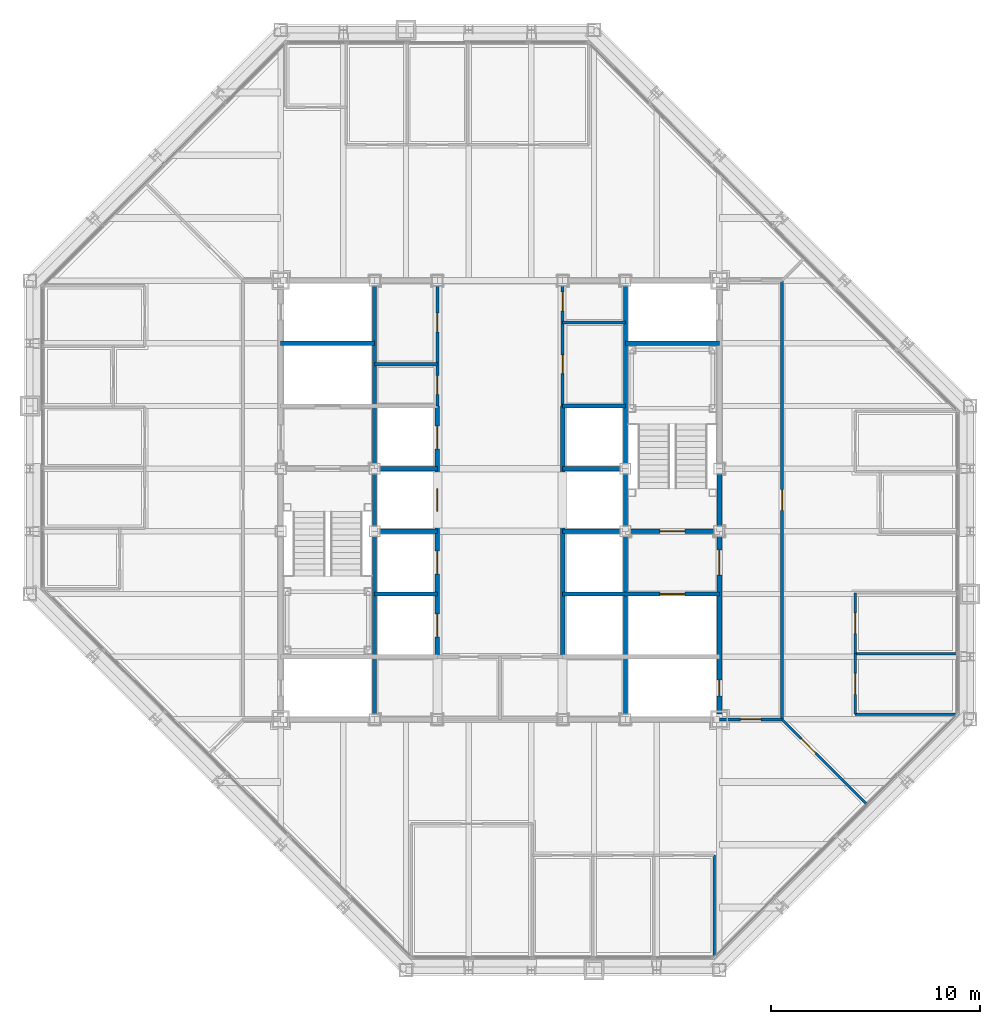
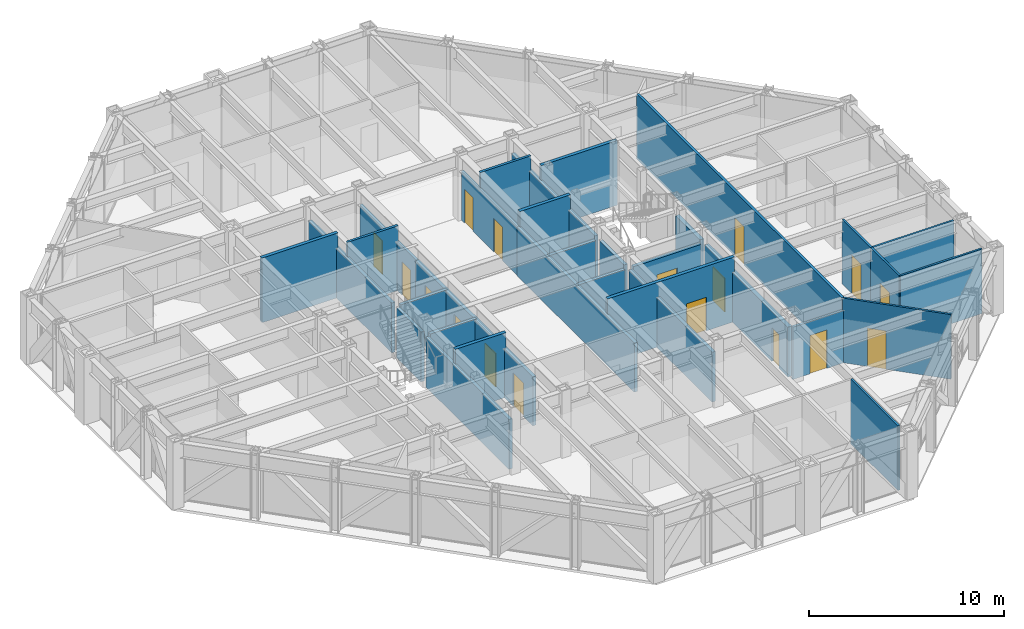
# One storey, part 12 of 16: 32 walls, 17 doors, 17 openings.
"""IFC4 building model written with IfcOpenShell, lengths in metres."""

import ifcopenshell
import ifcopenshell.guid

model = None  # the IFC model being written
_history = None  # IfcOwnerHistory: only IFC2X3 demands one
_inside = {}  # id of a spatial element -> (the spatial element, [elements in it])
_under = {}  # id of a project, library or spatial element -> (it, [spatial elements below it])
_declared = {}  # id of a project -> (the project, [libraries it declares])
_typed = {}  # id of a type object -> (the type object, [elements of that type])
_made_of = {}  # id of a material, layer set ... -> (it, [elements and type objects made of it])


def new_model(schema):
    """Start an empty IFC model of exactly this schema.

    Asked for "IFC4X3", IfcOpenShell would pick the latest addendum, in which some entities
    have other attributes; the version numbers below select the first issue.
    IFC2X3 requires an IfcOwnerHistory on every rooted entity: one is made here for all.
    """
    global model, _history
    if schema == "IFC4X3":
        model = ifcopenshell.file(schema_version=(4, 3, 0, 0))
    else:
        model = ifcopenshell.file(schema=schema)
    _inside.clear()
    _under.clear()
    _declared.clear()
    _typed.clear()
    _made_of.clear()
    _history = None
    if model.schema == "IFC2X3":
        org = make("IfcOrganization", Name="unknown")
        user = make(
            "IfcPersonAndOrganization",
            ThePerson=make("IfcPerson", FamilyName="unknown"),
            TheOrganization=org,
        )
        app = make(
            "IfcApplication",
            ApplicationDeveloper=org,
            Version="unknown",
            ApplicationFullName="unknown",
            ApplicationIdentifier="unknown",
        )
        _history = make(
            "IfcOwnerHistory",
            OwningUser=user,
            OwningApplication=app,
            ChangeAction="ADDED",
            CreationDate=0,
        )
    return model


def make(cls, **values):
    """One entity of the class cls with the attributes given. An attribute that is None is left unset."""
    return model.create_entity(
        cls, **{name: value for name, value in values.items() if value is not None}
    )


def rooted(cls, **values):
    """An entity with a GlobalId (a new one), such as an element, a storey or a relation."""
    return make(cls, GlobalId=ifcopenshell.guid.new(), OwnerHistory=_history, **values)


def si_unit(unit_type, name, prefix=None):
    """IfcSIUnit, for example si_unit("LENGTHUNIT", "METRE", prefix="MILLI")."""
    return make("IfcSIUnit", UnitType=unit_type, Prefix=prefix, Name=name)


def assignment(units):
    """IfcUnitAssignment: the units of a project."""
    return None if units is None else make("IfcUnitAssignment", Units=units)


def point(xyz):
    """IfcCartesianPoint."""
    return None if xyz is None else make("IfcCartesianPoint", Coordinates=xyz)


def direction(xyz):
    """IfcDirection."""
    return None if xyz is None else make("IfcDirection", DirectionRatios=xyz)


def frame(location, z_axis=None, x_axis=None):
    """IfcAxis2Placement3D, a coordinate frame: its origin and axes. An axis left out is left unset."""
    return make(
        "IfcAxis2Placement3D",
        Location=point(location),
        Axis=direction(z_axis),
        RefDirection=direction(x_axis),
    )


def frame_2d(location, x_axis=None):
    """IfcAxis2Placement2D, a coordinate frame in the plane: its origin and x axis."""
    return make(
        "IfcAxis2Placement2D", Location=point(location), RefDirection=direction(x_axis)
    )


def origin():
    """The frame at (0, 0, 0) with its axes left unset."""
    return frame((0.0, 0.0, 0.0))


def place(relative_to, where):
    """IfcLocalPlacement: puts the frame where relative to a parent placement (None: the world)."""
    return make(
        "IfcLocalPlacement", PlacementRelTo=relative_to, RelativePlacement=where
    )


def context(
    kind, dimensions, precision=None, world=None, true_north=None, identifier=None
):
    """IfcGeometricRepresentationContext, for example the 3D "Model" context."""
    return make(
        "IfcGeometricRepresentationContext",
        ContextIdentifier=identifier,
        ContextType=kind,
        CoordinateSpaceDimension=dimensions,
        Precision=precision,
        WorldCoordinateSystem=world,
        TrueNorth=true_north,
    )


def subcontext(parent, identifier, kind, view, scale=None):
    """IfcGeometricRepresentationSubContext, for example "Body" below "Model"."""
    return make(
        "IfcGeometricRepresentationSubContext",
        ContextIdentifier=identifier,
        ContextType=kind,
        ParentContext=parent,
        TargetScale=scale,
        TargetView=view,
    )


def project(units=None, contexts=None):
    """IfcProject with its units and contexts."""
    return rooted(
        "IfcProject",
        Name="project",
        RepresentationContexts=contexts,
        UnitsInContext=assignment(units),
    )


def spatial(cls, under=None, at=None, **own):
    """A site, building, storey or space (cls), placed at a placement, below another one or the project."""
    s = rooted(cls, ObjectPlacement=at, **own)
    if under is not None:
        _under.setdefault(under.id(), (under, []))[1].append(s)
    return s


def profile(cls, at=None, kind="AREA", **sizes):
    """A parametric profile (cls). Its sizes go by their IFC names, for example OverallWidth=200.0."""
    return make(cls, ProfileType=kind, Position=at, **sizes)


def rectangle(**sizes):
    """IfcRectangleProfileDef."""
    return profile("IfcRectangleProfileDef", **sizes)


def extrude(swept, where, along, depth):
    """IfcExtrudedAreaSolid: the profile swept, set in the frame where, extruded along a direction by depth."""
    return make(
        "IfcExtrudedAreaSolid",
        SweptArea=swept,
        Position=where,
        ExtrudedDirection=direction(along),
        Depth=depth,
    )


def shape(context_of_items, identifier, shape_type, items):
    """IfcShapeRepresentation: the items that make up one representation, for example the "Body"."""
    return make(
        "IfcShapeRepresentation",
        ContextOfItems=context_of_items,
        RepresentationIdentifier=identifier,
        RepresentationType=shape_type,
        Items=items,
    )


def material(Name=None, Category=None):
    """IfcMaterial."""
    return make("IfcMaterial", Name=Name, Category=Category)


def layer(
    of_material, thickness, ventilated=None, Name=None, Category=None, Priority=None
):
    """IfcMaterialLayer: one layer of a wall or slab, of a material (None: an air gap)."""
    return make(
        "IfcMaterialLayer",
        Material=of_material,
        LayerThickness=thickness,
        IsVentilated=ventilated,
        Name=Name,
        Category=Category,
        Priority=Priority,
    )


def layer_set(layers, Name=None):
    """IfcMaterialLayerSet."""
    return make("IfcMaterialLayerSet", MaterialLayers=layers, LayerSetName=Name)


def made_of(thing, what):
    """Note that an element or type object is made of a material, layer set ...; save() writes the relation."""
    if what is not None:
        _made_of.setdefault(what.id(), (what, []))[1].append(thing)
    return thing


def type_object(cls, material=None, **own):
    """A type object (cls), such as IfcWallType, which elements share."""
    return made_of(rooted(cls, **own), material)


def element(
    cls,
    number,
    at=None,
    inside=None,
    cuts=None,
    type_object=None,
    material=None,
    context=None,
    identifier="Body",
    shape_type=None,
    held_by="IfcProductDefinitionShape",
    body=None,
    shapes=None,
    **own,
):
    """One element of the class cls, such as IfcWall. Its Tag is "e" and its number.

    at: its placement. inside: the storey or other place that contains it. cuts: it is an
    opening in that element (IfcRelVoidsElement). A single representation is given by context,
    identifier, shape_type and body (its items); several are given by shapes. held_by: the class
    of the entity that holds the representations. save() writes the other relations.
    """
    e = rooted(cls, Tag="e%d" % number, ObjectPlacement=at, **own)
    if body is not None:
        shapes = [shape(context, identifier, shape_type, body)]
    if shapes is not None:
        e.Representation = make(held_by, Representations=shapes)
    if inside is not None:
        _inside.setdefault(inside.id(), (inside, []))[1].append(e)
    if cuts is not None:
        rooted(
            "IfcRelVoidsElement", RelatingBuildingElement=cuts, RelatedOpeningElement=e
        )
    if type_object is not None:
        _typed.setdefault(type_object.id(), (type_object, []))[1].append(e)
    return made_of(e, material)


def fill(opening, filler):
    """IfcRelFillsElement: the door or window that sits in an opening."""
    return rooted(
        "IfcRelFillsElement",
        RelatingOpeningElement=opening,
        RelatedBuildingElement=filler,
    )


def aggregate(whole, parts):
    """IfcRelAggregates: a whole, such as a stair, and the parts it consists of."""
    return rooted("IfcRelAggregates", RelatingObject=whole, RelatedObjects=parts)


def save(model, path):
    """Write the relations noted so far, then the file.

    IfcRelAggregates (storeys below a building ...), IfcRelContainedInSpatialStructure (elements
    in a storey), IfcRelDefinesByType, IfcRelAssociatesMaterial and IfcRelDeclares: one each for
    every whole, place, type object, material and project.
    """
    for whole, parts in _under.values():
        aggregate(whole, parts)
    for where, things in _inside.values():
        rooted(
            "IfcRelContainedInSpatialStructure",
            RelatedElements=things,
            RelatingStructure=where,
        )
    for kind, things in _typed.values():
        rooted("IfcRelDefinesByType", RelatedObjects=things, RelatingType=kind)
    for what, things in _made_of.values():
        rooted("IfcRelAssociatesMaterial", RelatedObjects=things, RelatingMaterial=what)
    for by, libraries in _declared.values():
        rooted("IfcRelDeclares", RelatingContext=by, RelatedDefinitions=libraries)
    model.write(path)


model = new_model("IFC4")

# Units and contexts
model_context = context("Model", 3, precision=1e-05, world=origin(), true_north=direction((0.0, 1.0)))
body_context = subcontext(model_context, "Body", "Model", "MODEL_VIEW")
ifc_project = project(units=[si_unit("LENGTHUNIT", "METRE"), si_unit("AREAUNIT", "SQUARE_METRE"), si_unit("VOLUMEUNIT", "CUBIC_METRE"), si_unit("PLANEANGLEUNIT", "RADIAN"), si_unit("MASSUNIT", "GRAM", prefix="KILO")], contexts=[model_context])

# Site, building, storey
site_placement = place(None, origin())
site = spatial("IfcSite", under=ifc_project, at=site_placement, CompositionType="ELEMENT")
building_placement = place(site_placement, origin())
building = spatial("IfcBuilding", under=site, at=building_placement, Name="Chuquiago Exchange Tower", CompositionType="ELEMENT")
storey_placement = place(building_placement, frame((0.0, 0.0, 226.5)))
storey = spatial("IfcBuildingStorey", under=building, at=storey_placement, Name="L50", CompositionType="ELEMENT", Elevation=226.5)

# Wall, openings, doors
ifc_material_1 = material(Name="Concrete masonry, fully grouted", Category="masonry")
ifc_layer_1 = layer(ifc_material_1, 0.25)
ifc_layer_set_1 = layer_set([ifc_layer_1], Name="W1 core wall 250")
wall_type_1 = type_object("IfcWallType", Name="W1 core wall 250", PredefinedType="SOLIDWALL", material=ifc_layer_set_1)
wall_1_placement = place(storey_placement, frame((33.0, 12.25, 0.0), z_axis=(0.0, 0.0, 1.0), x_axis=(0.0, 1.0, 0.0)))
wall_1 = element("IfcWall", 1, at=wall_1_placement, inside=storey, type_object=wall_type_1, Name="CW-L50-25-0", PredefinedType="SOLIDWALL", context=body_context, shape_type="SweptSolid", body=[
    extrude(rectangle(XDim=8.5, YDim=0.25, at=frame_2d((4.25, 0.0))), origin(), (0.0, 0.0, 1.0), 3.11279296875),
])
opening_1_placement = place(wall_1_placement, frame((6.64990234375, 0.0, 0.0)))
opening_1 = element("IfcOpeningElement", 2, at=opening_1_placement, cuts=wall_1, Name="Opening L50-004", PredefinedType="OPENING", context=body_context, shape_type="SweptSolid", body=[
    extrude(rectangle(XDim=1.199951171875, YDim=2.10009765625, at=frame_2d((0.60009765625, 1.050048828125))), frame((0.0, 0.135009765625, 0.0), z_axis=(0.0, -1.0, 0.0), x_axis=(1.0, 0.0, 0.0)), (0.0, 0.0, 1.0), 0.27001953125),
])
opening_2_placement = place(wall_1_placement, frame((0.875, 0.0, 0.0)))
opening_2 = element("IfcOpeningElement", 3, at=opening_2_placement, cuts=wall_1, Name="Opening L50-009", PredefinedType="OPENING", context=body_context, shape_type="SweptSolid", body=[
    extrude(rectangle(XDim=0.75, YDim=2.10009765625, at=frame_2d((0.375, 1.050048828125))), frame((0.0, 0.135009765625, 0.0), z_axis=(0.0, -1.0, 0.0), x_axis=(1.0, 0.0, 0.0)), (0.0, 0.0, 1.0), 0.27001953125),
])
ifc_material_2 = material(Name="Steel door, painted", Category="steel")
door_type_1 = type_object("IfcDoorType", Name="D5 firefighting lobby door 1200x2100", OperationType="SINGLE_SWING_LEFT", PredefinedType="DOOR", material=ifc_material_2)
door_1_placement = place(opening_1_placement, origin())
door_1 = element("IfcDoor", 4, at=door_1_placement, inside=storey, type_object=door_type_1, Name="Firefighting lobby 2 door", OperationType="SINGLE_SWING_RIGHT", OverallHeight=2.10009765625, OverallWidth=1.199951171875, PredefinedType="DOOR", context=body_context, shape_type="SweptSolid", body=[
    extrude(rectangle(XDim=1.199951171875, YDim=2.10009765625, at=frame_2d((0.60009765625, 1.050048828125))), frame((0.0, 0.02490234375, 0.0), z_axis=(0.0, -1.0, 0.0), x_axis=(1.0, 0.0, 0.0)), (0.0, 0.0, 1.0), 0.050048828125),
])
fill(opening_1, door_1)
ifc_material_3 = material(Name="Steel door, painted", Category="steel")
door_type_2 = type_object("IfcDoorType", Name="D6 riser access door 750x2100", OperationType="SINGLE_SWING_LEFT", PredefinedType="DOOR", material=ifc_material_3)
door_2_placement = place(opening_2_placement, frame((0.75, 0.0, 0.0), z_axis=(0.0, 0.0, 1.0), x_axis=(-1.0, 0.0, 0.0)))
door_2 = element("IfcDoor", 5, at=door_2_placement, inside=storey, type_object=door_type_2, Name="Riser RE1 door", OperationType="SINGLE_SWING_RIGHT", OverallHeight=2.10009765625, OverallWidth=0.75, PredefinedType="DOOR", context=body_context, shape_type="SweptSolid", body=[
    extrude(rectangle(XDim=0.75, YDim=2.10009765625, at=frame_2d((0.375, 1.050048828125))), frame((0.0, 0.02490234375, 0.0), z_axis=(0.0, -1.0, 0.0), x_axis=(1.0, 0.0, 0.0)), (0.0, 0.0, 1.0), 0.050048828125),
])
fill(opening_2, door_2)

# Wall
wall_2_placement = place(storey_placement, frame((33.0, 21.25, 0.0), z_axis=(0.0, 0.0, 1.0), x_axis=(0.0, 1.0, 0.0)))
element("IfcWall", 6, at=wall_2_placement, inside=storey, type_object=wall_type_1, Name="CW-L50-25-1", PredefinedType="SOLIDWALL", context=body_context, shape_type="SweptSolid", body=[
    extrude(rectangle(XDim=2.5, YDim=0.25, at=frame_2d((1.25, 0.0))), origin(), (0.0, 0.0, 1.0), 3.11279296875),
])

# Wall, opening, door
ifc_material_4 = material(Name="Gypsum board on steel studs, acoustic insulation", Category="steel")
ifc_layer_2 = layer(ifc_material_4, 0.14990234375)
ifc_layer_set_2 = layer_set([ifc_layer_2], Name="W11 corridor wall 150")
wall_type_2 = type_object("IfcWallType", Name="W11 corridor wall 150", PredefinedType="PARTITIONING", material=ifc_layer_set_2)
wall_3_placement = place(storey_placement, frame((36.0, 12.0, 0.0), z_axis=(0.0, 0.0, 1.0), x_axis=(0.0, 1.0, 0.0)))
wall_3 = element("IfcWall", 7, at=wall_3_placement, inside=storey, type_object=wall_type_2, Name="PW-L50-GE0", PredefinedType="PARTITIONING", context=body_context, shape_type="SweptSolid", body=[
    extrude(rectangle(XDim=21.0, YDim=0.14990234375, at=frame_2d((10.5, 0.0))), origin(), (0.0, 0.0, 1.0), 4.0400390625),
])
opening_3_placement = place(wall_3_placement, frame((10.0, 0.0, 0.0)))
opening_3 = element("IfcOpeningElement", 8, at=opening_3_placement, cuts=wall_3, Name="Opening L50-039", PredefinedType="OPENING", context=body_context, shape_type="SweptSolid", body=[
    extrude(rectangle(XDim=1.0, YDim=2.39990234375, at=frame_2d((0.5, 1.199951171875))), frame((0.0, 0.0849609375, 0.0), z_axis=(0.0, -1.0, 0.0), x_axis=(1.0, 0.0, 0.0)), (0.0, 0.0, 1.0), 0.169921875),
])
ifc_material_5 = material(Name="Timber door, laminate faced", Category="wood")
door_type_3 = type_object("IfcDoorType", Name="D9 room door 1000x2400", OperationType="SINGLE_SWING_LEFT", PredefinedType="DOOR", material=ifc_material_5)
door_3_placement = place(opening_3_placement, frame((1.0, 0.0, 0.0), z_axis=(0.0, 0.0, 1.0), x_axis=(-1.0, 0.0, 0.0)))
door_3 = element("IfcDoor", 9, at=door_3_placement, inside=storey, type_object=door_type_3, Name="Team area door", OperationType="SINGLE_SWING_RIGHT", OverallHeight=2.39990234375, OverallWidth=1.0, PredefinedType="DOOR", context=body_context, shape_type="SweptSolid", body=[
    extrude(rectangle(XDim=1.0, YDim=2.39990234375, at=frame_2d((0.5, 1.199951171875))), frame((0.0, 0.02490234375, 0.0), z_axis=(0.0, -1.0, 0.0), x_axis=(1.0, 0.0, 0.0)), (0.0, 0.0, 1.0), 0.050048828125),
])
fill(opening_3, door_3)

wall_4_placement = place(storey_placement, frame((33.0, 12.0, 0.0), z_axis=(0.0, 0.0, 1.0), x_axis=(1.0, 0.0, 0.0)))
wall_4 = element("IfcWall", 10, at=wall_4_placement, inside=storey, type_object=wall_type_2, Name="PW-L50-GES0", PredefinedType="PARTITIONING", context=body_context, shape_type="SweptSolid", body=[
    extrude(rectangle(XDim=3.0, YDim=0.14990234375, at=frame_2d((1.5, 0.0))), origin(), (0.0, 0.0, 1.0), 3.2705078125),
])
opening_4_placement = place(wall_4_placement, frame((1.0, 0.0, 0.0)))
opening_4 = element("IfcOpeningElement", 11, at=opening_4_placement, cuts=wall_4, Name="Opening L50-041", PredefinedType="OPENING", context=body_context, shape_type="SweptSolid", body=[
    extrude(rectangle(XDim=1.0, YDim=2.39990234375, at=frame_2d((0.5, 1.199951171875))), frame((0.0, 0.0849609375, 0.0), z_axis=(0.0, -1.0, 0.0), x_axis=(1.0, 0.0, 0.0)), (0.0, 0.0, 1.0), 0.169921875),
])
door_4_placement = place(opening_4_placement, frame((1.0, 0.0, 0.0), z_axis=(0.0, 0.0, 1.0), x_axis=(-1.0, 0.0, 0.0)))
door_4 = element("IfcDoor", 12, at=door_4_placement, inside=storey, type_object=door_type_3, Name="Team area door", OperationType="SINGLE_SWING_RIGHT", OverallHeight=2.39990234375, OverallWidth=1.0, PredefinedType="DOOR", context=body_context, shape_type="SweptSolid", body=[
    extrude(rectangle(XDim=1.0, YDim=2.39990234375, at=frame_2d((0.5, 1.199951171875))), frame((0.0, 0.02490234375, 0.0), z_axis=(0.0, -1.0, 0.0), x_axis=(1.0, 0.0, 0.0)), (0.0, 0.0, 1.0), 0.050048828125),
])
fill(opening_4, door_4)

# Walls
ifc_material_6 = material(Name="Concrete masonry, fully grouted", Category="masonry")
ifc_layer_3 = layer(ifc_material_6, 0.199951171875)
ifc_layer_set_3 = layer_set([ifc_layer_3], Name="W2 shaft wall 200")
wall_type_3 = type_object("IfcWallType", Name="W2 shaft wall 200", PredefinedType="SOLIDWALL", material=ifc_layer_set_3)
for number, where, z_axis, x_axis, name in (
    (13, (16.75, 24.0, 0.0), (0.0, 0.0, 1.0), (1.0, 0.0, 0.0), "CW-L50-05-1"),
    (14, (25.5, 24.0, 0.0), (0.0, 0.0, 1.0), (1.0, 0.0, 0.0), "CW-L50-06-0"),
):
    element("IfcWall", number, at=place(storey_placement, frame(where, z_axis=z_axis, x_axis=x_axis)), inside=storey, type_object=wall_type_3, Name=name, PredefinedType="SOLIDWALL", context=body_context, shape_type="SweptSolid", body=[
        extrude(rectangle(XDim=2.75, YDim=0.199951171875, at=frame_2d((1.375, 0.0))), origin(), (0.0, 0.0, 1.0), 3.090087890625),
    ])
wall_5_placement = place(storey_placement, frame((25.5, 27.0, 0.0), z_axis=(0.0, 0.0, 1.0), x_axis=(1.0, 0.0, 0.0)))
element("IfcWall", 15, at=wall_5_placement, inside=storey, type_object=wall_type_3, Name="CW-L50-08-0", PredefinedType="SOLIDWALL", context=body_context, shape_type="SweptSolid", body=[
    extrude(rectangle(XDim=3.0, YDim=0.199951171875, at=frame_2d((1.5, 0.0))), origin(), (0.0, 0.0, 1.0), 4.0400390625),
])
for number, where, z_axis, x_axis, name in (
    (16, (12.0, 30.0, 0.0), (0.0, 0.0, 1.0), (1.0, 0.0, 0.0), "CW-L50-09-0"),
    (17, (28.5, 30.0, 0.0), (0.0, 0.0, 1.0), (1.0, 0.0, 0.0), "CW-L50-10-0"),
):
    element("IfcWall", number, at=place(storey_placement, frame(where, z_axis=z_axis, x_axis=x_axis)), inside=storey, type_object=wall_type_3, Name=name, PredefinedType="SOLIDWALL", context=body_context, shape_type="SweptSolid", body=[
        extrude(rectangle(XDim=4.5, YDim=0.199951171875, at=frame_2d((2.25, 0.0))), origin(), (0.0, 0.0, 1.0), 4.0400390625),
    ])
wall_6_placement = place(storey_placement, frame((16.5, 12.25, 0.0), z_axis=(0.0, 0.0, 1.0), x_axis=(0.0, 1.0, 0.0)))
element("IfcWall", 18, at=wall_6_placement, inside=storey, type_object=wall_type_3, Name="CW-L50-13-0", PredefinedType="SOLIDWALL", context=body_context, shape_type="SweptSolid", body=[
    extrude(rectangle(XDim=8.5, YDim=0.199951171875, at=frame_2d((4.25, 0.0))), origin(), (0.0, 0.0, 1.0), 3.11279296875),
])
wall_7_placement = place(storey_placement, frame((16.5, 21.25, 0.0), z_axis=(0.0, 0.0, 1.0), x_axis=(0.0, 1.0, 0.0)))
element("IfcWall", 19, at=wall_7_placement, inside=storey, type_object=wall_type_3, Name="CW-L50-13-1", PredefinedType="SOLIDWALL", context=body_context, shape_type="SweptSolid", body=[
    extrude(rectangle(XDim=2.5, YDim=0.199951171875, at=frame_2d((1.25, 0.0))), origin(), (0.0, 0.0, 1.0), 3.11279296875),
])
wall_8_placement = place(storey_placement, frame((16.5, 24.25, 0.0), z_axis=(0.0, 0.0, 1.0), x_axis=(0.0, 1.0, 0.0)))
element("IfcWall", 20, at=wall_8_placement, inside=storey, type_object=wall_type_3, Name="CW-L50-13-2", PredefinedType="SOLIDWALL", context=body_context, shape_type="SweptSolid", body=[
    extrude(rectangle(XDim=8.5, YDim=0.199951171875, at=frame_2d((4.25, 0.0))), origin(), (0.0, 0.0, 1.0), 3.11279296875),
])
wall_9_placement = place(storey_placement, frame((16.5, 18.0, 0.0), z_axis=(0.0, 0.0, 1.0), x_axis=(1.0, 0.0, 0.0)))
element("IfcWall", 21, at=wall_9_placement, inside=storey, type_object=wall_type_3, Name="CW-L50-14-0", PredefinedType="SOLIDWALL", context=body_context, shape_type="SweptSolid", body=[
    extrude(rectangle(XDim=3.0, YDim=0.199951171875, at=frame_2d((1.5, 0.0))), origin(), (0.0, 0.0, 1.0), 4.0400390625),
])

# Wall, opening, door
wall_10_placement = place(storey_placement, frame((25.5, 18.0, 0.0), z_axis=(0.0, 0.0, 1.0), x_axis=(1.0, 0.0, 0.0)))
wall_10 = element("IfcWall", 22, at=wall_10_placement, inside=storey, type_object=wall_type_3, Name="CW-L50-15-0", PredefinedType="SOLIDWALL", context=body_context, shape_type="SweptSolid", body=[
    extrude(rectangle(XDim=7.5, YDim=0.199951171875, at=frame_2d((3.75, 0.0))), origin(), (0.0, 0.0, 1.0), 4.0400390625),
])
opening_5_placement = place(wall_10_placement, frame((4.64990234375, 0.0, 0.0)))
opening_5 = element("IfcOpeningElement", 23, at=opening_5_placement, cuts=wall_10, Name="Opening L50-006", PredefinedType="OPENING", context=body_context, shape_type="SweptSolid", body=[
    extrude(rectangle(XDim=1.199951171875, YDim=2.10009765625, at=frame_2d((0.60009765625, 1.050048828125))), frame((0.0, 0.10986328125, 0.0), z_axis=(0.0, -1.0, 0.0), x_axis=(1.0, 0.0, 0.0)), (0.0, 0.0, 1.0), 0.219970703125),
])
ifc_material_7 = material(Name="Stainless steel lift landing door", Category="steel")
door_type_4 = type_object("IfcDoorType", Name="LD2 firefighting lift landing door 1200x2100", OperationType="DOUBLE_DOOR_SLIDING", PredefinedType="DOOR", material=ifc_material_7)
door_5_placement = place(opening_5_placement, origin())
door_5 = element("IfcDoor", 24, at=door_5_placement, inside=storey, type_object=door_type_4, Name="Firefighting lift FL2 landing door", OperationType="DOUBLE_DOOR_SLIDING", OverallHeight=2.10009765625, OverallWidth=1.199951171875, PredefinedType="DOOR", context=body_context, shape_type="SweptSolid", body=[
    extrude(rectangle(XDim=1.199951171875, YDim=2.10009765625, at=frame_2d((0.60009765625, 1.050048828125))), frame((0.0, 0.02490234375, 0.0), z_axis=(0.0, -1.0, 0.0), x_axis=(1.0, 0.0, 0.0)), (0.0, 0.0, 1.0), 0.050048828125),
])
fill(opening_5, door_5)

# Walls
for number, where, z_axis, x_axis, name in (
    (25, (16.75, 21.0, 0.0), (0.0, 0.0, 1.0), (1.0, 0.0, 0.0), "CW-L50-16-0"),
    (26, (25.5, 21.0, 0.0), (0.0, 0.0, 1.0), (1.0, 0.0, 0.0), "CW-L50-17-0"),
):
    element("IfcWall", number, at=place(storey_placement, frame(where, z_axis=z_axis, x_axis=x_axis)), inside=storey, type_object=wall_type_3, Name=name, PredefinedType="SOLIDWALL", context=body_context, shape_type="SweptSolid", body=[
        extrude(rectangle(XDim=2.75, YDim=0.199951171875, at=frame_2d((1.375, 0.0))), origin(), (0.0, 0.0, 1.0), 3.090087890625),
    ])

# Wall, opening, door
wall_11_placement = place(storey_placement, frame((28.75, 21.0, 0.0), z_axis=(0.0, 0.0, 1.0), x_axis=(1.0, 0.0, 0.0)))
wall_11 = element("IfcWall", 27, at=wall_11_placement, inside=storey, type_object=wall_type_3, Name="CW-L50-17-1", PredefinedType="SOLIDWALL", context=body_context, shape_type="SweptSolid", body=[
    extrude(rectangle(XDim=4.0, YDim=0.199951171875, at=frame_2d((2.0, 0.0))), origin(), (0.0, 0.0, 1.0), 3.090087890625),
])
opening_6_placement = place(wall_11_placement, frame((1.39990234375, 0.0, 0.0)))
opening_6 = element("IfcOpeningElement", 28, at=opening_6_placement, cuts=wall_11, Name="Opening L50-003", PredefinedType="OPENING", context=body_context, shape_type="SweptSolid", body=[
    extrude(rectangle(XDim=1.199951171875, YDim=2.10009765625, at=frame_2d((0.60009765625, 1.050048828125))), frame((0.0, 0.10986328125, 0.0), z_axis=(0.0, -1.0, 0.0), x_axis=(1.0, 0.0, 0.0)), (0.0, 0.0, 1.0), 0.219970703125),
])
ifc_material_8 = material(Name="Steel door, painted", Category="steel")
door_type_5 = type_object("IfcDoorType", Name="D4 stair door 1200x2100", OperationType="SINGLE_SWING_LEFT", PredefinedType="DOOR", material=ifc_material_8)
door_6_placement = place(opening_6_placement, origin())
door_6 = element("IfcDoor", 29, at=door_6_placement, inside=storey, type_object=door_type_5, Name="Stair ST2 door", OperationType="SINGLE_SWING_LEFT", OverallHeight=2.10009765625, OverallWidth=1.199951171875, PredefinedType="DOOR", context=body_context, shape_type="SweptSolid", body=[
    extrude(rectangle(XDim=1.199951171875, YDim=2.10009765625, at=frame_2d((0.60009765625, 1.050048828125))), frame((0.0, 0.02490234375, 0.0), z_axis=(0.0, -1.0, 0.0), x_axis=(1.0, 0.0, 0.0)), (0.0, 0.0, 1.0), 0.050048828125),
])
fill(opening_6, door_6)

# Wall, openings, doors
wall_12_placement = place(storey_placement, frame((19.5, 15.0, 0.0), z_axis=(0.0, 0.0, 1.0), x_axis=(0.0, 1.0, 0.0)))
wall_12 = element("IfcWall", 30, at=wall_12_placement, inside=storey, type_object=wall_type_3, Name="CW-L50-19-0", PredefinedType="SOLIDWALL", context=body_context, shape_type="SweptSolid", body=[
    extrude(rectangle(XDim=12.0, YDim=0.199951171875, at=frame_2d((6.0, 0.0))), origin(), (0.0, 0.0, 1.0), 3.064697265625),
])
opening_7_placement = place(wall_12_placement, frame((0.949951171875, 0.0, 0.0)))
opening_7 = element("IfcOpeningElement", 31, at=opening_7_placement, cuts=wall_12, Name="Opening L50-017", PredefinedType="OPENING", context=body_context, shape_type="SweptSolid", body=[
    extrude(rectangle(XDim=1.10009765625, YDim=2.10009765625, at=frame_2d((0.550048828125, 1.050048828125))), frame((0.0, 0.10986328125, 0.0), z_axis=(0.0, -1.0, 0.0), x_axis=(1.0, 0.0, 0.0)), (0.0, 0.0, 1.0), 0.219970703125),
])
opening_8_placement = place(wall_12_placement, frame((3.949951171875, 0.0, 0.0)))
opening_8 = element("IfcOpeningElement", 32, at=opening_8_placement, cuts=wall_12, Name="Opening L50-018", PredefinedType="OPENING", context=body_context, shape_type="SweptSolid", body=[
    extrude(rectangle(XDim=1.10009765625, YDim=2.10009765625, at=frame_2d((0.550048828125, 1.050048828125))), frame((0.0, 0.10986328125, 0.0), z_axis=(0.0, -1.0, 0.0), x_axis=(1.0, 0.0, 0.0)), (0.0, 0.0, 1.0), 0.219970703125),
])
opening_9_placement = place(wall_12_placement, frame((6.949951171875, 0.0, 0.0)))
opening_9 = element("IfcOpeningElement", 33, at=opening_9_placement, cuts=wall_12, Name="Opening L50-019", PredefinedType="OPENING", context=body_context, shape_type="SweptSolid", body=[
    extrude(rectangle(XDim=1.10009765625, YDim=2.10009765625, at=frame_2d((0.550048828125, 1.050048828125))), frame((0.0, 0.10986328125, 0.0), z_axis=(0.0, -1.0, 0.0), x_axis=(1.0, 0.0, 0.0)), (0.0, 0.0, 1.0), 0.219970703125),
])
opening_10_placement = place(wall_12_placement, frame((9.949951171875, 0.0, 0.0)))
opening_10 = element("IfcOpeningElement", 34, at=opening_10_placement, cuts=wall_12, Name="Opening L50-020", PredefinedType="OPENING", context=body_context, shape_type="SweptSolid", body=[
    extrude(rectangle(XDim=1.10009765625, YDim=2.10009765625, at=frame_2d((0.550048828125, 1.050048828125))), frame((0.0, 0.10986328125, 0.0), z_axis=(0.0, -1.0, 0.0), x_axis=(1.0, 0.0, 0.0)), (0.0, 0.0, 1.0), 0.219970703125),
])
ifc_material_9 = material(Name="Stainless steel lift landing door", Category="steel")
door_type_6 = type_object("IfcDoorType", Name="LD1 lift landing door 1100x2100", OperationType="DOUBLE_DOOR_SLIDING", PredefinedType="DOOR", material=ifc_material_9)
door_7_placement = place(opening_7_placement, origin())
door_7 = element("IfcDoor", 35, at=door_7_placement, inside=storey, type_object=door_type_6, Name="Lift LC1 landing door", OperationType="DOUBLE_DOOR_SLIDING", OverallHeight=2.10009765625, OverallWidth=1.10009765625, PredefinedType="DOOR", context=body_context, shape_type="SweptSolid", body=[
    extrude(rectangle(XDim=1.10009765625, YDim=2.10009765625, at=frame_2d((0.550048828125, 1.050048828125))), frame((0.0, 0.02490234375, 0.0), z_axis=(0.0, -1.0, 0.0), x_axis=(1.0, 0.0, 0.0)), (0.0, 0.0, 1.0), 0.050048828125),
])
fill(opening_7, door_7)
door_8_placement = place(opening_8_placement, origin())
door_8 = element("IfcDoor", 36, at=door_8_placement, inside=storey, type_object=door_type_6, Name="Lift LC2 landing door", OperationType="DOUBLE_DOOR_SLIDING", OverallHeight=2.10009765625, OverallWidth=1.10009765625, PredefinedType="DOOR", context=body_context, shape_type="SweptSolid", body=[
    extrude(rectangle(XDim=1.10009765625, YDim=2.10009765625, at=frame_2d((0.550048828125, 1.050048828125))), frame((0.0, 0.02490234375, 0.0), z_axis=(0.0, -1.0, 0.0), x_axis=(1.0, 0.0, 0.0)), (0.0, 0.0, 1.0), 0.050048828125),
])
fill(opening_8, door_8)
door_9_placement = place(opening_9_placement, origin())
door_9 = element("IfcDoor", 37, at=door_9_placement, inside=storey, type_object=door_type_6, Name="Lift LC3 landing door", OperationType="DOUBLE_DOOR_SLIDING", OverallHeight=2.10009765625, OverallWidth=1.10009765625, PredefinedType="DOOR", context=body_context, shape_type="SweptSolid", body=[
    extrude(rectangle(XDim=1.10009765625, YDim=2.10009765625, at=frame_2d((0.550048828125, 1.050048828125))), frame((0.0, 0.02490234375, 0.0), z_axis=(0.0, -1.0, 0.0), x_axis=(1.0, 0.0, 0.0)), (0.0, 0.0, 1.0), 0.050048828125),
])
fill(opening_9, door_9)
door_10_placement = place(opening_10_placement, origin())
door_10 = element("IfcDoor", 38, at=door_10_placement, inside=storey, type_object=door_type_6, Name="Lift LC4 landing door", OperationType="DOUBLE_DOOR_SLIDING", OverallHeight=2.10009765625, OverallWidth=1.10009765625, PredefinedType="DOOR", context=body_context, shape_type="SweptSolid", body=[
    extrude(rectangle(XDim=1.10009765625, YDim=2.10009765625, at=frame_2d((0.550048828125, 1.050048828125))), frame((0.0, 0.02490234375, 0.0), z_axis=(0.0, -1.0, 0.0), x_axis=(1.0, 0.0, 0.0)), (0.0, 0.0, 1.0), 0.050048828125),
])
fill(opening_10, door_10)

# Walls
wall_13_placement = place(storey_placement, frame((25.5, 15.0, 0.0), z_axis=(0.0, 0.0, 1.0), x_axis=(0.0, 1.0, 0.0)))
element("IfcWall", 39, at=wall_13_placement, inside=storey, type_object=wall_type_3, Name="CW-L50-22-0", PredefinedType="SOLIDWALL", context=body_context, shape_type="SweptSolid", body=[
    extrude(rectangle(XDim=12.0, YDim=0.199951171875, at=frame_2d((6.0, 0.0))), origin(), (0.0, 0.0, 1.0), 3.064697265625),
])
wall_14_placement = place(storey_placement, frame((28.5, 12.25, 0.0), z_axis=(0.0, 0.0, 1.0), x_axis=(0.0, 1.0, 0.0)))
element("IfcWall", 40, at=wall_14_placement, inside=storey, type_object=wall_type_3, Name="CW-L50-24-0", PredefinedType="SOLIDWALL", context=body_context, shape_type="SweptSolid", body=[
    extrude(rectangle(XDim=8.5, YDim=0.199951171875, at=frame_2d((4.25, 0.0))), origin(), (0.0, 0.0, 1.0), 3.11279296875),
])
wall_15_placement = place(storey_placement, frame((28.5, 21.25, 0.0), z_axis=(0.0, 0.0, 1.0), x_axis=(0.0, 1.0, 0.0)))
element("IfcWall", 41, at=wall_15_placement, inside=storey, type_object=wall_type_3, Name="CW-L50-24-1", PredefinedType="SOLIDWALL", context=body_context, shape_type="SweptSolid", body=[
    extrude(rectangle(XDim=2.5, YDim=0.199951171875, at=frame_2d((1.25, 0.0))), origin(), (0.0, 0.0, 1.0), 3.11279296875),
])
wall_16_placement = place(storey_placement, frame((28.5, 24.25, 0.0), z_axis=(0.0, 0.0, 1.0), x_axis=(0.0, 1.0, 0.0)))
element("IfcWall", 42, at=wall_16_placement, inside=storey, type_object=wall_type_3, Name="CW-L50-24-2", PredefinedType="SOLIDWALL", context=body_context, shape_type="SweptSolid", body=[
    extrude(rectangle(XDim=8.5, YDim=0.199951171875, at=frame_2d((4.25, 0.0))), origin(), (0.0, 0.0, 1.0), 3.11279296875),
])

# Wall, openings, doors
ifc_material_10 = material(Name="Gypsum board on steel studs", Category="steel")
ifc_layer_4 = layer(ifc_material_10, 0.14990234375)
ifc_layer_set_4 = layer_set([ifc_layer_4], Name="W3 core partition 150")
wall_type_4 = type_object("IfcWallType", Name="W3 core partition 150", PredefinedType="PARTITIONING", material=ifc_layer_set_4)
wall_17_placement = place(storey_placement, frame((19.5, 27.0, 0.0), z_axis=(0.0, 0.0, 1.0), x_axis=(0.0, 1.0, 0.0)))
wall_17 = element("IfcWall", 43, at=wall_17_placement, inside=storey, type_object=wall_type_4, Name="CW-L50-20-0", PredefinedType="PARTITIONING", context=body_context, shape_type="SweptSolid", body=[
    extrude(rectangle(XDim=5.75, YDim=0.14990234375, at=frame_2d((2.875, 0.0))), origin(), (0.0, 0.0, 1.0), 3.064697265625),
])
opening_11_placement = place(wall_17_placement, frame((0.550048828125, 0.0, 0.0)))
opening_11 = element("IfcOpeningElement", 44, at=opening_11_placement, cuts=wall_17, Name="Opening L50-011", PredefinedType="OPENING", context=body_context, shape_type="SweptSolid", body=[
    extrude(rectangle(XDim=0.89990234375, YDim=2.10009765625, at=frame_2d((0.449951171875, 1.050048828125))), frame((0.0, 0.0849609375, 0.0), z_axis=(0.0, -1.0, 0.0), x_axis=(1.0, 0.0, 0.0)), (0.0, 0.0, 1.0), 0.169921875),
])
opening_12_placement = place(wall_17_placement, frame((3.550048828125, 0.0, 0.0)))
opening_12 = element("IfcOpeningElement", 45, at=opening_12_placement, cuts=wall_17, Name="Opening L50-012", PredefinedType="OPENING", context=body_context, shape_type="SweptSolid", body=[
    extrude(rectangle(XDim=0.89990234375, YDim=2.10009765625, at=frame_2d((0.449951171875, 1.050048828125))), frame((0.0, 0.0849609375, 0.0), z_axis=(0.0, -1.0, 0.0), x_axis=(1.0, 0.0, 0.0)), (0.0, 0.0, 1.0), 0.169921875),
])
ifc_material_11 = material(Name="Timber door, laminate faced", Category="wood")
door_type_7 = type_object("IfcDoorType", Name="D16 core room door 900x2100", OperationType="SINGLE_SWING_LEFT", PredefinedType="DOOR", material=ifc_material_11)
door_11_placement = place(opening_11_placement, origin())
door_11 = element("IfcDoor", 46, at=door_11_placement, inside=storey, type_object=door_type_7, Name="First aid room door", OperationType="SINGLE_SWING_LEFT", OverallHeight=2.10009765625, OverallWidth=0.89990234375, PredefinedType="DOOR", context=body_context, shape_type="SweptSolid", body=[
    extrude(rectangle(XDim=0.89990234375, YDim=2.10009765625, at=frame_2d((0.449951171875, 1.050048828125))), frame((0.0, 0.02490234375, 0.0), z_axis=(0.0, -1.0, 0.0), x_axis=(1.0, 0.0, 0.0)), (0.0, 0.0, 1.0), 0.050048828125),
])
fill(opening_11, door_11)
ifc_material_12 = material(Name="Timber door, laminate faced", Category="wood")
door_type_8 = type_object("IfcDoorType", Name="D7 toilet door 900x2100", OperationType="SINGLE_SWING_LEFT", PredefinedType="DOOR", material=ifc_material_12)
door_12_placement = place(opening_12_placement, origin())
door_12 = element("IfcDoor", 47, at=door_12_placement, inside=storey, type_object=door_type_8, Name="Male WC door", OperationType="SINGLE_SWING_RIGHT", OverallHeight=2.10009765625, OverallWidth=0.89990234375, PredefinedType="DOOR", context=body_context, shape_type="SweptSolid", body=[
    extrude(rectangle(XDim=0.89990234375, YDim=2.10009765625, at=frame_2d((0.449951171875, 1.050048828125))), frame((0.0, 0.02490234375, 0.0), z_axis=(0.0, -1.0, 0.0), x_axis=(1.0, 0.0, 0.0)), (0.0, 0.0, 1.0), 0.050048828125),
])
fill(opening_12, door_12)

wall_18_placement = place(storey_placement, frame((25.5, 27.0, 0.0), z_axis=(0.0, 0.0, 1.0), x_axis=(0.0, 1.0, 0.0)))
wall_18 = element("IfcWall", 48, at=wall_18_placement, inside=storey, type_object=wall_type_4, Name="CW-L50-23-0", PredefinedType="PARTITIONING", context=body_context, shape_type="SweptSolid", body=[
    extrude(rectangle(XDim=5.75, YDim=0.14990234375, at=frame_2d((2.875, 0.0))), origin(), (0.0, 0.0, 1.0), 3.064697265625),
])
opening_13_placement = place(wall_18_placement, frame((1.550048828125, 0.0, 0.0)))
opening_13 = element("IfcOpeningElement", 49, at=opening_13_placement, cuts=wall_18, Name="Opening L50-013", PredefinedType="OPENING", context=body_context, shape_type="SweptSolid", body=[
    extrude(rectangle(XDim=0.89990234375, YDim=2.10009765625, at=frame_2d((0.449951171875, 1.050048828125))), frame((0.0, 0.0849609375, 0.0), z_axis=(0.0, -1.0, 0.0), x_axis=(1.0, 0.0, 0.0)), (0.0, 0.0, 1.0), 0.169921875),
])
opening_14_placement = place(wall_18_placement, frame((4.550048828125, 0.0, 0.0)))
opening_14 = element("IfcOpeningElement", 50, at=opening_14_placement, cuts=wall_18, Name="Opening L50-014", PredefinedType="OPENING", context=body_context, shape_type="SweptSolid", body=[
    extrude(rectangle(XDim=0.89990234375, YDim=2.10009765625, at=frame_2d((0.449951171875, 1.050048828125))), frame((0.0, 0.0849609375, 0.0), z_axis=(0.0, -1.0, 0.0), x_axis=(1.0, 0.0, 0.0)), (0.0, 0.0, 1.0), 0.169921875),
])
door_13_placement = place(opening_14_placement, frame((0.89990234375, 0.0, 0.0), z_axis=(0.0, 0.0, 1.0), x_axis=(-1.0, 0.0, 0.0)))
door_13 = element("IfcDoor", 51, at=door_13_placement, inside=storey, type_object=door_type_7, Name="Staff shower room door", OperationType="SINGLE_SWING_LEFT", OverallHeight=2.10009765625, OverallWidth=0.89990234375, PredefinedType="DOOR", context=body_context, shape_type="SweptSolid", body=[
    extrude(rectangle(XDim=0.89990234375, YDim=2.10009765625, at=frame_2d((0.449951171875, 1.050048828125))), frame((0.0, 0.02490234375, 0.0), z_axis=(0.0, -1.0, 0.0), x_axis=(1.0, 0.0, 0.0)), (0.0, 0.0, 1.0), 0.050048828125),
])
fill(opening_14, door_13)
door_14_placement = place(opening_13_placement, frame((0.89990234375, 0.0, 0.0), z_axis=(0.0, 0.0, 1.0), x_axis=(-1.0, 0.0, 0.0)))
door_14 = element("IfcDoor", 52, at=door_14_placement, inside=storey, type_object=door_type_8, Name="Female WC door", OperationType="SINGLE_SWING_RIGHT", OverallHeight=2.10009765625, OverallWidth=0.89990234375, PredefinedType="DOOR", context=body_context, shape_type="SweptSolid", body=[
    extrude(rectangle(XDim=0.89990234375, YDim=2.10009765625, at=frame_2d((0.449951171875, 1.050048828125))), frame((0.0, 0.02490234375, 0.0), z_axis=(0.0, -1.0, 0.0), x_axis=(1.0, 0.0, 0.0)), (0.0, 0.0, 1.0), 0.050048828125),
])
fill(opening_13, door_14)

# Walls
for number, where, z_axis, x_axis, name in (
    (53, (16.5, 29.0, 0.0), (0.0, 0.0, 1.0), (1.0, 0.0, 0.0), "CW-L50-WCMS"),
    (54, (25.5, 31.0, 0.0), (0.0, 0.0, 1.0), (1.0, 0.0, 0.0), "CW-L50-WCFS"),
):
    element("IfcWall", number, at=place(storey_placement, frame(where, z_axis=z_axis, x_axis=x_axis)), inside=storey, type_object=wall_type_4, Name=name, PredefinedType="PARTITIONING", context=body_context, shape_type="SweptSolid", body=[
        extrude(rectangle(XDim=3.0, YDim=0.14990234375, at=frame_2d((1.5, 0.0))), origin(), (0.0, 0.0, 1.0), 4.0400390625),
    ])
ifc_material_13 = material(Name="Gypsum board on steel studs", Category="steel")
ifc_layer_5 = layer(ifc_material_13, 0.1201171875)
ifc_layer_set_5 = layer_set([ifc_layer_5], Name="W4 partition 120")
wall_type_5 = type_object("IfcWallType", Name="W4 partition 120", PredefinedType="PARTITIONING", material=ifc_layer_set_5)
for number, where, z_axis, x_axis, name in (
    (55, (32.75146484375, 0.666015625, 0.0), (0.0, 0.0, 1.0), (0.0, 1.0, 0.0), "PW-L50-S03275"),
    (56, (44.333984375, 12.24853515625, 0.0), (0.0, 0.0, 1.0), (-1.0, 0.0, 0.0), "PW-L50-E01225"),
):
    element("IfcWall", number, at=place(storey_placement, frame(where, z_axis=z_axis, x_axis=x_axis)), inside=storey, type_object=wall_type_5, Name=name, PredefinedType="PARTITIONING", context=body_context, shape_type="SweptSolid", body=[
        extrude(rectangle(XDim=4.833984375, YDim=0.1201171875, at=frame_2d((2.4169921875, 0.0))), origin(), (0.0, 0.0, 1.0), 4.0400390625),
    ])
wall_19_placement = place(storey_placement, frame((44.347412109375, 15.149169921875, 0.0), z_axis=(0.0, 0.0, 1.0), x_axis=(-1.0, 0.0, 0.0)))
element("IfcWall", 57, at=wall_19_placement, inside=storey, type_object=wall_type_5, Name="PW-L50-E01515", PredefinedType="PARTITIONING", context=body_context, shape_type="SweptSolid", body=[
    extrude(rectangle(XDim=4.847412109375, YDim=0.1201171875, at=frame_2d((2.423828125, 0.0))), origin(), (0.0, 0.0, 1.0), 4.0400390625),
])

# Wall, opening, door
wall_20_placement = place(storey_placement, frame((39.5, 12.24853515625, 0.0), z_axis=(0.0, 0.0, 1.0), x_axis=(0.0, 1.0, 0.0)))
wall_20 = element("IfcWall", 58, at=wall_20_placement, inside=storey, type_object=wall_type_5, Name="PW-L50-EF01225", PredefinedType="PARTITIONING", context=body_context, shape_type="SweptSolid", body=[
    extrude(rectangle(XDim=2.900634765625, YDim=0.1201171875, at=frame_2d((1.4501953125, 0.0))), origin(), (0.0, 0.0, 1.0), 4.0400390625),
])
opening_15_placement = place(wall_20_placement, frame((0.9501953125, 0.0, 0.0)))
opening_15 = element("IfcOpeningElement", 59, at=opening_15_placement, cuts=wall_20, Name="Opening L50-025", PredefinedType="OPENING", context=body_context, shape_type="SweptSolid", body=[
    extrude(rectangle(XDim=1.0, YDim=2.39990234375, at=frame_2d((0.5, 1.199951171875))), frame((0.0, 0.070068359375, 0.0), z_axis=(0.0, -1.0, 0.0), x_axis=(1.0, 0.0, 0.0)), (0.0, 0.0, 1.0), 0.14013671875),
])
door_15_placement = place(opening_15_placement, frame((1.0, 0.0, 0.0), z_axis=(0.0, 0.0, 1.0), x_axis=(-1.0, 0.0, 0.0)))
door_15 = element("IfcDoor", 60, at=door_15_placement, inside=storey, type_object=door_type_3, Name="Compliance office door", OperationType="SINGLE_SWING_RIGHT", OverallHeight=2.39990234375, OverallWidth=1.0, PredefinedType="DOOR", context=body_context, shape_type="SweptSolid", body=[
    extrude(rectangle(XDim=1.0, YDim=2.39990234375, at=frame_2d((0.5, 1.199951171875))), frame((0.0, 0.02490234375, 0.0), z_axis=(0.0, -1.0, 0.0), x_axis=(1.0, 0.0, 0.0)), (0.0, 0.0, 1.0), 0.050048828125),
])
fill(opening_15, door_15)

wall_21_placement = place(storey_placement, frame((39.5, 15.149169921875, 0.0), z_axis=(0.0, 0.0, 1.0), x_axis=(0.0, 1.0, 0.0)))
wall_21 = element("IfcWall", 61, at=wall_21_placement, inside=storey, type_object=wall_type_5, Name="PW-L50-EF01515", PredefinedType="PARTITIONING", context=body_context, shape_type="SweptSolid", body=[
    extrude(rectangle(XDim=2.900634765625, YDim=0.1201171875, at=frame_2d((1.4501953125, 0.0))), origin(), (0.0, 0.0, 1.0), 4.0400390625),
])
opening_16_placement = place(wall_21_placement, frame((0.9501953125, 0.0, 0.0)))
opening_16 = element("IfcOpeningElement", 62, at=opening_16_placement, cuts=wall_21, Name="Opening L50-026", PredefinedType="OPENING", context=body_context, shape_type="SweptSolid", body=[
    extrude(rectangle(XDim=1.0, YDim=2.39990234375, at=frame_2d((0.5, 1.199951171875))), frame((0.0, 0.070068359375, 0.0), z_axis=(0.0, -1.0, 0.0), x_axis=(1.0, 0.0, 0.0)), (0.0, 0.0, 1.0), 0.14013671875),
])
door_16_placement = place(opening_16_placement, frame((1.0, 0.0, 0.0), z_axis=(0.0, 0.0, 1.0), x_axis=(-1.0, 0.0, 0.0)))
door_16 = element("IfcDoor", 63, at=door_16_placement, inside=storey, type_object=door_type_3, Name="Compliance office door", OperationType="SINGLE_SWING_RIGHT", OverallHeight=2.39990234375, OverallWidth=1.0, PredefinedType="DOOR", context=body_context, shape_type="SweptSolid", body=[
    extrude(rectangle(XDim=1.0, YDim=2.39990234375, at=frame_2d((0.5, 1.199951171875))), frame((0.0, 0.02490234375, 0.0), z_axis=(0.0, -1.0, 0.0), x_axis=(1.0, 0.0, 0.0)), (0.0, 0.0, 1.0), 0.050048828125),
])
fill(opening_16, door_16)

wall_22_placement = place(storey_placement, frame((36.0, 12.0, 0.0), z_axis=(0.0, 0.0, 1.0), x_axis=(0.707106781187, -0.707106781187, 0.0)))
wall_22 = element("IfcWall", 64, at=wall_22_placement, inside=storey, type_object=wall_type_5, Name="PW-L50-QSE", PredefinedType="PARTITIONING", context=body_context, shape_type="SweptSolid", body=[
    extrude(rectangle(XDim=5.731689453125, YDim=0.1201171875, at=frame_2d((2.86572265625, 0.0))), origin(), (0.0, 0.0, 1.0), 4.0400390625),
])
opening_17_placement = place(wall_22_placement, frame((1.300048828125, 0.0, 0.0)))
opening_17 = element("IfcOpeningElement", 65, at=opening_17_placement, cuts=wall_22, Name="Opening L50-044", PredefinedType="OPENING", context=body_context, shape_type="SweptSolid", body=[
    extrude(rectangle(XDim=1.0, YDim=2.39990234375, at=frame_2d((0.5, 1.199951171875))), frame((0.0, 0.070068359375, 0.0), z_axis=(0.0, -1.0, 0.0), x_axis=(1.0, 0.0, 0.0)), (0.0, 0.0, 1.0), 0.14013671875),
])
door_17_placement = place(opening_17_placement, frame((1.0, 0.0, 0.0), z_axis=(0.0, 0.0, 1.0), x_axis=(-1.0, 0.0, 0.0)))
door_17 = element("IfcDoor", 66, at=door_17_placement, inside=storey, type_object=door_type_3, Name="Team area door", OperationType="SINGLE_SWING_RIGHT", OverallHeight=2.39990234375, OverallWidth=1.0, PredefinedType="DOOR", context=body_context, shape_type="SweptSolid", body=[
    extrude(rectangle(XDim=1.0, YDim=2.39990234375, at=frame_2d((0.5, 1.199951171875))), frame((0.0, 0.02490234375, 0.0), z_axis=(0.0, -1.0, 0.0), x_axis=(1.0, 0.0, 0.0)), (0.0, 0.0, 1.0), 0.050048828125),
])
fill(opening_17, door_17)

save(model, "model.ifc")
